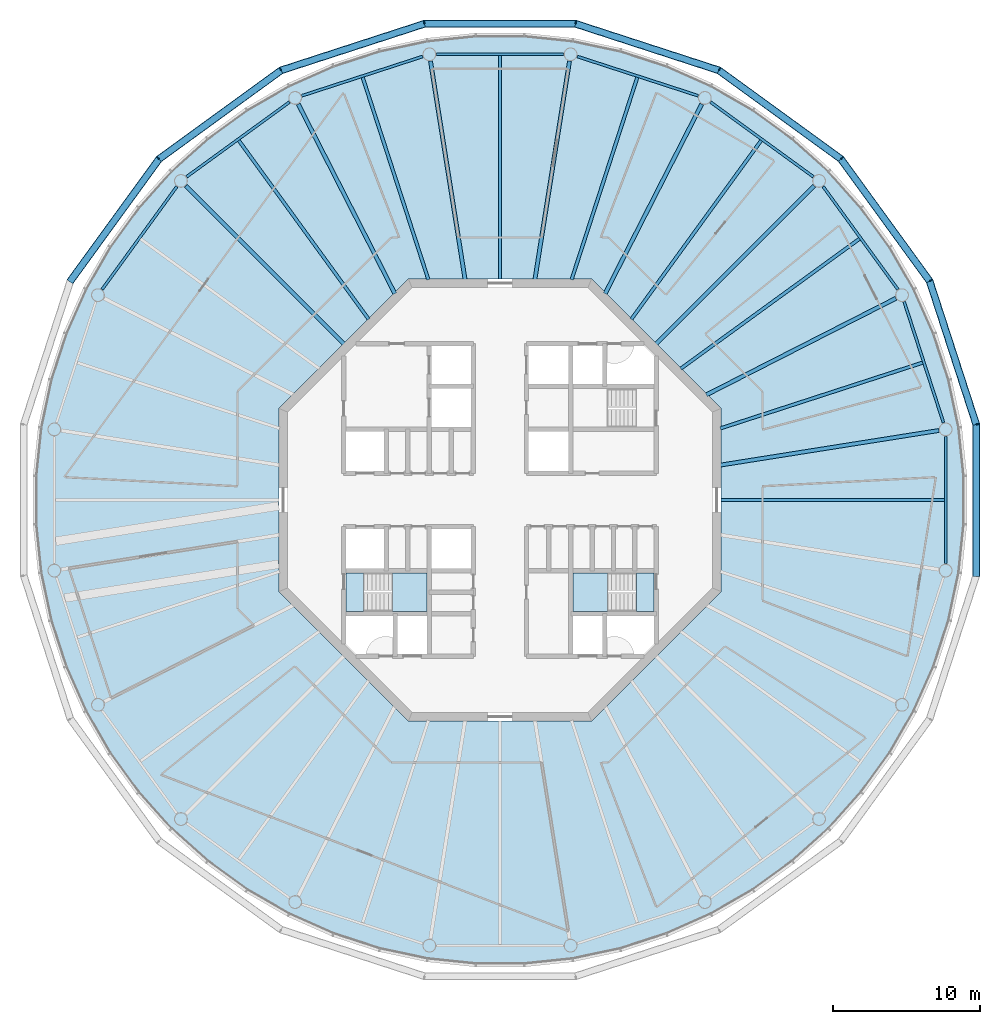
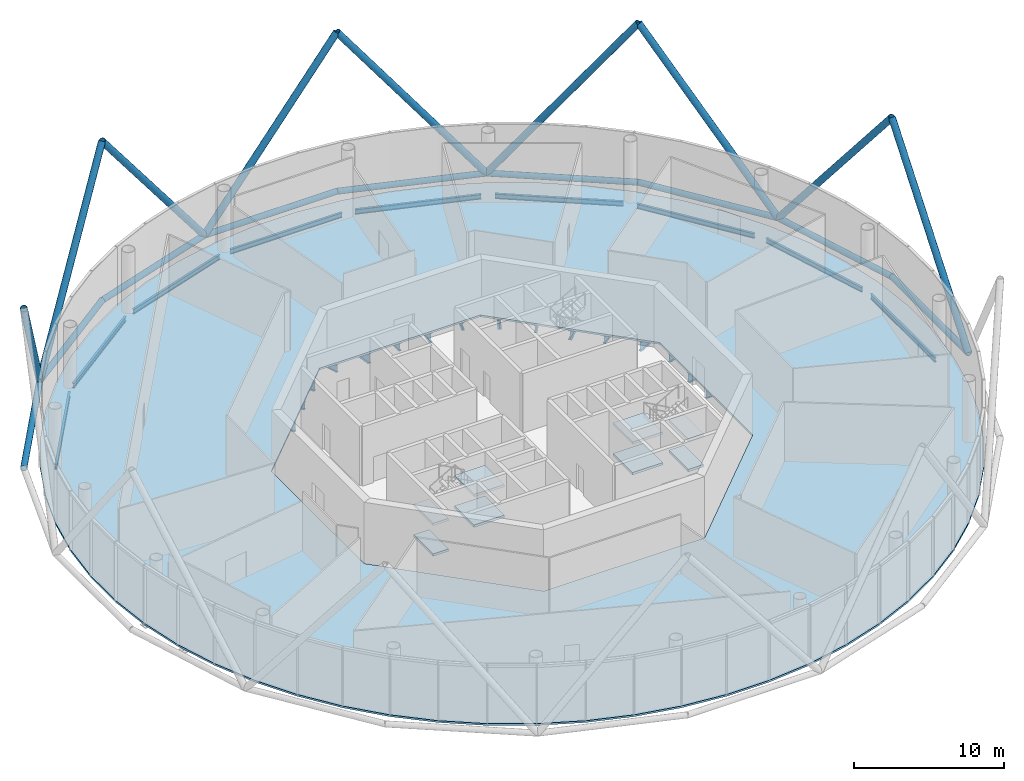
# One storey, part 2 of 13: 25 beams, 18 members, 9 slabs, 2 elements without a shape of their own.
"""IFC4 building model written with IfcOpenShell, lengths in metres."""

from ifc_helpers import new_model, si_unit, direction, frame, origin, origin_2d, place, context, subcontext, project, spatial, polyline, circle, hollow_circle, i_section, outline, extrude, material, layer, layer_set, material_profile, profile_set, type_object, element, aggregate, save


model = new_model("IFC4")

# Units and contexts
model_context = context("Model", 3, precision=1e-05, world=origin(), true_north=direction((0.0, 1.0)))
body_context = subcontext(model_context, "Body", "Model", "MODEL_VIEW")
ifc_project = project(units=[si_unit("LENGTHUNIT", "METRE"), si_unit("AREAUNIT", "SQUARE_METRE"), si_unit("VOLUMEUNIT", "CUBIC_METRE"), si_unit("PLANEANGLEUNIT", "RADIAN"), si_unit("MASSUNIT", "GRAM", prefix="KILO")], contexts=[model_context])

# Site, building, storey
site_placement = place(None, origin())
site = spatial("IfcSite", under=ifc_project, at=site_placement, CompositionType="ELEMENT")
building_placement = place(site_placement, origin())
building = spatial("IfcBuilding", under=site, at=building_placement, Name="Entoto Ring Tower", CompositionType="ELEMENT")
storey_placement = place(building_placement, frame((0.0, 0.0, 402.0)))
storey = spatial("IfcBuildingStorey", under=building, at=storey_placement, Name="L92", CompositionType="ELEMENT", Elevation=402.0)

# Members
ifc_material_1 = material(Name="Steel S355", Category="steel")
ifc_material_profile_1 = material_profile(ifc_material_1, hollow_circle(Radius=0.25390625, WallThickness=0.030029296875, at=origin_2d()), Name="CHS 508 x 30")
ifc_material_2 = material(Name="Concrete C60/75", Category="concrete")
ifc_material_profile_2 = material_profile(ifc_material_2, circle(Radius=0.22412109375, at=origin_2d()), Name="Concrete C60/75 infill")
ifc_profile_set_1 = profile_set([ifc_material_profile_1, ifc_material_profile_2], Name="Steel S355")
member_type_1 = type_object("IfcMemberType", Name="Diagrid diagonal 508 x 30 concrete-filled tube", PredefinedType="BRACE", material=ifc_profile_set_1)
for number, where, z_axis, x_axis, name in (
    (1, (119.135986328125, 94.845458984375, 0.0), (0.191101988777, -0.588167322629, 0.785836643633), (0.95105896794, 0.309009448885, 0.0), "DG7 module 30 01"),
    (2, (119.135986328125, 94.845458984375, 0.0), (-0.363517787948, 0.500323970729, 0.785831242799), (-0.809008424404, -0.587797047665, 0.0), "DG7 module 30 02"),
    (3, (104.845458984375, 109.135986328125, 0.0), (0.500323970729, -0.363517787948, 0.785831242799), (0.587797047665, 0.809008424404, 0.0), "DG7 module 30 03"),
    (4, (104.845458984375, 109.135986328125, 0.0), (-0.588167322629, 0.191101988777, 0.785836643633), (-0.309009448885, -0.95105896794, 0.0), "DG7 module 30 04"),
    (5, (84.884521484375, 112.29736328125, 0.0), (0.618444448493, 0.0, 0.785828520816), (0.0, 1.0, 0.0), "DG7 module 30 05"),
    (6, (84.884521484375, 112.29736328125, 0.0), (-0.588167322629, -0.191101988777, 0.785836643633), (0.309009448885, -0.95105896794, 0.0), "DG7 module 30 06"),
    (7, (66.877685546875, 103.122314453125, 0.0), (0.500323970729, 0.363517787948, 0.785831242799), (-0.587797047665, 0.809008424404, 0.0), "DG7 module 30 07"),
    (8, (66.877685546875, 103.122314453125, 0.0), (-0.363517787948, -0.500323970729, 0.785831242799), (0.809008424404, -0.587797047665, 0.0), "DG7 module 30 08"),
    (9, (122.29736328125, 74.884521484375, 0.0), (0.0, 0.618444448493, 0.785828520816), (-1.0, 0.0, 0.0), "DG7 module 30 20"),
):
    element("IfcMember", number, at=place(storey_placement, frame(where, z_axis=z_axis, x_axis=x_axis)), inside=storey, type_object=member_type_1, Name=name, PredefinedType="BRACE", context=body_context, shape_type="SweptSolid", body=[
        extrude(hollow_circle(Radius=0.25390625, WallThickness=0.030029296875, at=origin_2d()), origin(), (0.0, 0.0, 1.0), 16.54296875),
    ])
ifc_material_3 = material(Name="Steel S355", Category="steel")
ifc_material_profile_3 = material_profile(ifc_material_3, hollow_circle(Radius=0.228515625, WallThickness=0.02001953125, at=origin_2d()), Name="CHS 457 x 20")
ifc_material_4 = material(Name="Concrete C60/75", Category="concrete")
ifc_material_profile_4 = material_profile(ifc_material_4, circle(Radius=0.20849609375, at=origin_2d()), Name="Concrete C60/75 infill")
ifc_profile_set_2 = profile_set([ifc_material_profile_3, ifc_material_profile_4], Name="Steel S355")
member_type_2 = type_object("IfcMemberType", Name="Diagrid ring beam 457 x 20", PredefinedType="CHORD", material=ifc_profile_set_2)
for number, where, z_axis, x_axis, name in (
    (10, (119.1689453125, 94.800048828125, 0.0), (-0.587781465034, 0.809019745966, 0.0), (-0.809019745966, -0.587781465034, 0.0), "DR3 ring 29 01"),
    (11, (113.16796875, 103.08935546875, 0.0), (-0.809019745966, 0.587781465034, 0.0), (-0.587781465034, -0.809019745966, 0.0), "DR3 ring 29 02"),
):
    element("IfcMember", number, at=place(storey_placement, frame(where, z_axis=z_axis, x_axis=x_axis)), inside=storey, type_object=member_type_2, Name=name, PredefinedType="CHORD", context=body_context, shape_type="SweptSolid", body=[
        extrude(hollow_circle(Radius=0.228515625, WallThickness=0.02001953125, at=origin_2d()), origin(), (0.0, 0.0, 1.0), 10.34326171875),
    ])
member_1_placement = place(storey_placement, frame((104.89892578125, 109.11865234375, 0.0), z_axis=(-0.951061125206, 0.309002809244, 0.0), x_axis=(-0.309002809244, -0.951061125206, 0.0)))
element("IfcMember", 12, at=member_1_placement, inside=storey, type_object=member_type_2, Name="DR3 ring 29 03", PredefinedType="CHORD", context=body_context, shape_type="SweptSolid", body=[
    extrude(hollow_circle(Radius=0.228515625, WallThickness=0.02001953125, at=origin_2d()), origin(), (0.0, 0.0, 1.0), 10.343017578125),
])
member_2_placement = place(storey_placement, frame((95.171630859375, 112.29736328125, 0.0), z_axis=(-1.0, 0.0, 0.0), x_axis=(0.0, -1.0, 0.0)))
element("IfcMember", 13, at=member_2_placement, inside=storey, type_object=member_type_2, Name="DR3 ring 29 04", PredefinedType="CHORD", context=body_context, shape_type="SweptSolid", body=[
    extrude(hollow_circle(Radius=0.228515625, WallThickness=0.02001953125, at=origin_2d()), origin(), (0.0, 0.0, 1.0), 10.34326171875),
])
member_3_placement = place(storey_placement, frame((84.93798828125, 112.314697265625, 0.0), z_axis=(-0.951061125206, -0.309002809244, 0.0), x_axis=(0.309002809244, -0.951061125206, 0.0)))
element("IfcMember", 14, at=member_3_placement, inside=storey, type_object=member_type_2, Name="DR3 ring 29 05", PredefinedType="CHORD", context=body_context, shape_type="SweptSolid", body=[
    extrude(hollow_circle(Radius=0.228515625, WallThickness=0.02001953125, at=origin_2d()), origin(), (0.0, 0.0, 1.0), 10.343017578125),
])
for number, where, z_axis, x_axis, name in (
    (15, (75.199951171875, 109.1689453125, 0.0), (-0.809019745966, -0.587781465034, 0.0), (0.587781465034, -0.809019745966, 0.0), "DR3 ring 29 06"),
    (16, (66.91064453125, 103.16796875, 0.0), (-0.587781465034, -0.809019745966, 0.0), (0.809019745966, -0.587781465034, 0.0), "DR3 ring 29 07"),
    (17, (122.29736328125, 74.828369140625, 0.0), (0.0, 1.0, 0.0), (-1.0, 0.0, 0.0), "DR3 ring 29 19"),
):
    element("IfcMember", number, at=place(storey_placement, frame(where, z_axis=z_axis, x_axis=x_axis)), inside=storey, type_object=member_type_2, Name=name, PredefinedType="CHORD", context=body_context, shape_type="SweptSolid", body=[
        extrude(hollow_circle(Radius=0.228515625, WallThickness=0.02001953125, at=origin_2d()), origin(), (0.0, 0.0, 1.0), 10.34326171875),
    ])
member_4_placement = place(storey_placement, frame((122.314697265625, 85.06201171875, 0.0), z_axis=(-0.309002809244, 0.951061125206, 0.0), x_axis=(-0.951061125206, -0.309002809244, 0.0)))
element("IfcMember", 18, at=member_4_placement, inside=storey, type_object=member_type_2, Name="DR3 ring 29 20", PredefinedType="CHORD", context=body_context, shape_type="SweptSolid", body=[
    extrude(hollow_circle(Radius=0.228515625, WallThickness=0.02001953125, at=origin_2d()), origin(), (0.0, 0.0, 1.0), 10.343017578125),
])

# Beams
ifc_material_5 = material(Name="Steel S355", Category="steel")
ifc_material_profile_5 = material_profile(ifc_material_5, i_section(OverallWidth=0.179931640625, OverallDepth=0.39990234375, WebThickness=0.008544921875, FlangeThickness=0.013427734375, FilletRadius=0.02099609375, at=origin_2d()), Name="IPE 400")
ifc_profile_set_3 = profile_set([ifc_material_profile_5], Name="Steel S355")
beam_type_1 = type_object("IfcBeamType", Name="Edge beam IPE 400", PredefinedType="SPANDREL", material=ifc_profile_set_3)
beam_1_placement = place(storey_placement, frame((120.077392578125, 85.235595703125, -0.35009765625), z_axis=(-0.309004833211, 0.951060467611, 0.0), x_axis=(-0.951060467611, -0.309004833211, 0.0)))
element("IfcBeam", 19, at=beam_1_placement, inside=storey, type_object=beam_type_1, Name="Edge beam L92 01", PredefinedType="SPANDREL", context=body_context, shape_type="SweptSolid", body=[
    extrude(i_section(OverallWidth=0.179931640625, OverallDepth=0.39990234375, WebThickness=0.008544921875, FlangeThickness=0.013427734375, FilletRadius=0.02099609375, at=origin_2d()), origin(), (0.0, 0.0, 1.0), 8.630126953125),
])
for number, where, z_axis, x_axis, name in (
    (20, (116.987548828125, 94.273681640625, -0.35009765625), (-0.587778035872, 0.809022237362, 0.0), (-0.809022237362, -0.587778035872, 0.0), "Edge beam L92 02"),
    (21, (111.255859375, 101.914794921875, -0.35009765625), (-0.809022237362, 0.587778035872, 0.0), (-0.587778035872, -0.809022237362, 0.0), "Edge beam L92 03"),
):
    element("IfcBeam", number, at=place(storey_placement, frame(where, z_axis=z_axis, x_axis=x_axis)), inside=storey, type_object=beam_type_1, Name=name, PredefinedType="SPANDREL", context=body_context, shape_type="SweptSolid", body=[
        extrude(i_section(OverallWidth=0.179931640625, OverallDepth=0.39990234375, WebThickness=0.008544921875, FlangeThickness=0.013427734375, FilletRadius=0.02099609375, at=origin_2d()), origin(), (0.0, 0.0, 1.0), 8.63037109375),
    ])
beam_2_placement = place(storey_placement, frame((103.443359375, 107.41064453125, -0.35009765625), z_axis=(-0.951060467611, 0.309004833211, 0.0), x_axis=(-0.309004833211, -0.951060467611, 0.0)))
element("IfcBeam", 22, at=beam_2_placement, inside=storey, type_object=beam_type_1, Name="Edge beam L92 04", PredefinedType="SPANDREL", context=body_context, shape_type="SweptSolid", body=[
    extrude(i_section(OverallWidth=0.179931640625, OverallDepth=0.39990234375, WebThickness=0.008544921875, FlangeThickness=0.013427734375, FilletRadius=0.02099609375, at=origin_2d()), origin(), (0.0, 0.0, 1.0), 8.630126953125),
])
beam_3_placement = place(storey_placement, frame((94.315185546875, 110.22314453125, -0.35009765625), z_axis=(-1.0, 0.0, 0.0), x_axis=(0.0, -1.0, 0.0)))
element("IfcBeam", 23, at=beam_3_placement, inside=storey, type_object=beam_type_1, Name="Edge beam L92 05", PredefinedType="SPANDREL", context=body_context, shape_type="SweptSolid", body=[
    extrude(i_section(OverallWidth=0.179931640625, OverallDepth=0.39990234375, WebThickness=0.008544921875, FlangeThickness=0.013427734375, FilletRadius=0.02099609375, at=origin_2d()), origin(), (0.0, 0.0, 1.0), 8.63037109375),
])
beam_4_placement = place(storey_placement, frame((84.764404296875, 110.077392578125, -0.35009765625), z_axis=(-0.951060467611, -0.309004833211, 0.0), x_axis=(0.309004833211, -0.951060467611, 0.0)))
element("IfcBeam", 24, at=beam_4_placement, inside=storey, type_object=beam_type_1, Name="Edge beam L92 06", PredefinedType="SPANDREL", context=body_context, shape_type="SweptSolid", body=[
    extrude(i_section(OverallWidth=0.179931640625, OverallDepth=0.39990234375, WebThickness=0.008544921875, FlangeThickness=0.013427734375, FilletRadius=0.02099609375, at=origin_2d()), origin(), (0.0, 0.0, 1.0), 8.630126953125),
])
for number, where, z_axis, x_axis, name in (
    (25, (75.726318359375, 106.987548828125, -0.35009765625), (-0.809022237362, -0.587778035872, 0.0), (0.587778035872, -0.809022237362, 0.0), "Edge beam L92 07"),
    (26, (68.085205078125, 101.255859375, -0.35009765625), (-0.587778035872, -0.809022237362, 0.0), (0.809022237362, -0.587778035872, 0.0), "Edge beam L92 08"),
    (27, (120.22314453125, 75.684814453125, -0.35009765625), (0.0, 1.0, 0.0), (-1.0, 0.0, 0.0), "Edge beam L92 20"),
):
    element("IfcBeam", number, at=place(storey_placement, frame(where, z_axis=z_axis, x_axis=x_axis)), inside=storey, type_object=beam_type_1, Name=name, PredefinedType="SPANDREL", context=body_context, shape_type="SweptSolid", body=[
        extrude(i_section(OverallWidth=0.179931640625, OverallDepth=0.39990234375, WebThickness=0.008544921875, FlangeThickness=0.013427734375, FilletRadius=0.02099609375, at=origin_2d()), origin(), (0.0, 0.0, 1.0), 8.63037109375),
    ])
ifc_material_6 = material(Name="Steel S355", Category="steel")
ifc_material_profile_6 = material_profile(ifc_material_6, i_section(OverallWidth=0.262939453125, OverallDepth=0.7529296875, WebThickness=0.011474609375, FlangeThickness=0.01708984375, FilletRadius=0.01708984375, at=origin_2d()), Name="IPE 750 x 137")
ifc_profile_set_4 = profile_set([ifc_material_profile_6], Name="Steel S355")
beam_type_2 = type_object("IfcBeamType", Name="Primary floor beam IPE 750 x 137", PredefinedType="BEAM", material=ifc_profile_set_4)
beam_5_placement = place(storey_placement, frame((104.959716796875, 82.369384765625, -0.526611328125), z_axis=(0.987687983091, 0.156436722214, 0.0), x_axis=(-0.156436722214, 0.987687983091, 0.0)))
element("IfcBeam", 28, at=beam_5_placement, inside=storey, type_object=beam_type_2, Name="Primary L92 R01", PredefinedType="BEAM", context=body_context, shape_type="SweptSolid", body=[
    extrude(i_section(OverallWidth=0.262939453125, OverallDepth=0.7529296875, WebThickness=0.011474609375, FlangeThickness=0.01708984375, FilletRadius=0.01708984375, at=origin_2d()), origin(), (0.0, 0.0, 1.0), 14.991455078125),
])
beam_6_placement = place(storey_placement, frame((103.9970703125, 87.1318359375, -0.526611328125), z_axis=(0.891007082672, 0.453989403652, 0.0), x_axis=(-0.453989403652, 0.891007082672, 0.0)))
element("IfcBeam", 29, at=beam_6_placement, inside=storey, type_object=beam_type_2, Name="Primary L92 R02", PredefinedType="BEAM", context=body_context, shape_type="SweptSolid", body=[
    extrude(i_section(OverallWidth=0.262939453125, OverallDepth=0.7529296875, WebThickness=0.011474609375, FlangeThickness=0.01708984375, FilletRadius=0.01708984375, at=origin_2d()), origin(), (0.0, 0.0, 1.0), 14.42822265625),
])
beam_7_placement = place(storey_placement, frame((100.592529296875, 90.592529296875, -0.526611328125), z_axis=(0.707106781187, 0.707106781187, 0.0), x_axis=(-0.707106781187, 0.707106781187, 0.0)))
element("IfcBeam", 30, at=beam_7_placement, inside=storey, type_object=beam_type_2, Name="Primary L92 R03", PredefinedType="BEAM", context=body_context, shape_type="SweptSolid", body=[
    extrude(i_section(OverallWidth=0.262939453125, OverallDepth=0.7529296875, WebThickness=0.011474609375, FlangeThickness=0.01708984375, FilletRadius=0.01708984375, at=origin_2d()), origin(), (0.0, 0.0, 1.0), 15.157470703125),
])
beam_8_placement = place(storey_placement, frame((97.1318359375, 93.9970703125, -0.526611328125), z_axis=(0.453989403652, 0.891007082672, 0.0), x_axis=(-0.891007082672, 0.453989403652, 0.0)))
element("IfcBeam", 31, at=beam_8_placement, inside=storey, type_object=beam_type_2, Name="Primary L92 R04", PredefinedType="BEAM", context=body_context, shape_type="SweptSolid", body=[
    extrude(i_section(OverallWidth=0.262939453125, OverallDepth=0.7529296875, WebThickness=0.011474609375, FlangeThickness=0.01708984375, FilletRadius=0.01708984375, at=origin_2d()), origin(), (0.0, 0.0, 1.0), 14.42822265625),
])
for number, where, z_axis, x_axis, name in (
    (32, (92.369384765625, 94.959716796875, -0.526611328125), (0.156436722214, 0.987687983091, 0.0), (-0.987687983091, 0.156436722214, 0.0), "Primary L92 R05"),
    (33, (87.630615234375, 94.959716796875, -0.526611328125), (-0.156436722214, 0.987687983091, 0.0), (-0.987687983091, -0.156436722214, 0.0), "Primary L92 R06"),
):
    element("IfcBeam", number, at=place(storey_placement, frame(where, z_axis=z_axis, x_axis=x_axis)), inside=storey, type_object=beam_type_2, Name=name, PredefinedType="BEAM", context=body_context, shape_type="SweptSolid", body=[
        extrude(i_section(OverallWidth=0.262939453125, OverallDepth=0.7529296875, WebThickness=0.011474609375, FlangeThickness=0.01708984375, FilletRadius=0.01708984375, at=origin_2d()), origin(), (0.0, 0.0, 1.0), 14.991455078125),
    ])
beam_9_placement = place(storey_placement, frame((82.8681640625, 93.9970703125, -0.526611328125), z_axis=(-0.453989403652, 0.891007082672, 0.0), x_axis=(-0.891007082672, -0.453989403652, 0.0)))
element("IfcBeam", 34, at=beam_9_placement, inside=storey, type_object=beam_type_2, Name="Primary L92 R07", PredefinedType="BEAM", context=body_context, shape_type="SweptSolid", body=[
    extrude(i_section(OverallWidth=0.262939453125, OverallDepth=0.7529296875, WebThickness=0.011474609375, FlangeThickness=0.01708984375, FilletRadius=0.01708984375, at=origin_2d()), origin(), (0.0, 0.0, 1.0), 14.42822265625),
])
beam_10_placement = place(storey_placement, frame((79.407470703125, 90.592529296875, -0.526611328125), z_axis=(-0.707106781187, 0.707106781187, 0.0), x_axis=(-0.707106781187, -0.707106781187, 0.0)))
element("IfcBeam", 35, at=beam_10_placement, inside=storey, type_object=beam_type_2, Name="Primary L92 R08", PredefinedType="BEAM", context=body_context, shape_type="SweptSolid", body=[
    extrude(i_section(OverallWidth=0.262939453125, OverallDepth=0.7529296875, WebThickness=0.011474609375, FlangeThickness=0.01708984375, FilletRadius=0.01708984375, at=origin_2d()), origin(), (0.0, 0.0, 1.0), 15.157470703125),
])
ifc_material_7 = material(Name="Steel S355", Category="steel")
ifc_material_profile_7 = material_profile(ifc_material_7, i_section(OverallWidth=0.219970703125, OverallDepth=0.60009765625, WebThickness=0.011962890625, FlangeThickness=0.01904296875, FilletRadius=0.02392578125, at=origin_2d()), Name="IPE 600")
ifc_profile_set_5 = profile_set([ifc_material_profile_7], Name="Steel S355")
beam_type_3 = type_object("IfcBeamType", Name="Secondary floor beam IPE 600", PredefinedType="JOIST", material=ifc_profile_set_5)
beam_11_placement = place(storey_placement, frame((104.947021484375, 84.856689453125, -0.449951171875), z_axis=(0.951057212949, 0.309014850288, 0.0), x_axis=(-0.309014850288, 0.951057212949, 0.0)))
element("IfcBeam", 36, at=beam_11_placement, inside=storey, type_object=beam_type_3, Name="Secondary beam L92 01", PredefinedType="JOIST", context=body_context, shape_type="SweptSolid", body=[
    extrude(i_section(OverallWidth=0.219970703125, OverallDepth=0.60009765625, WebThickness=0.011962890625, FlangeThickness=0.01904296875, FilletRadius=0.02392578125, at=origin_2d()), origin(), (0.0, 0.0, 1.0), 14.4169921875),
])
for number, where, z_axis, x_axis, name in (
    (37, (102.25634765625, 88.90478515625, -0.449951171875), (0.809019238239, 0.587782163866, 0.0), (-0.587782163866, 0.809019238239, 0.0), "Secondary beam L92 02"),
    (38, (98.90478515625, 92.25634765625, -0.449951171875), (0.587782163866, 0.809019238239, 0.0), (-0.809019238239, 0.587782163866, 0.0), "Secondary beam L92 03"),
):
    element("IfcBeam", number, at=place(storey_placement, frame(where, z_axis=z_axis, x_axis=x_axis)), inside=storey, type_object=beam_type_3, Name=name, PredefinedType="JOIST", context=body_context, shape_type="SweptSolid", body=[
        extrude(i_section(OverallWidth=0.219970703125, OverallDepth=0.60009765625, WebThickness=0.011962890625, FlangeThickness=0.01904296875, FilletRadius=0.02392578125, at=origin_2d()), origin(), (0.0, 0.0, 1.0), 14.983642578125),
    ])
beam_12_placement = place(storey_placement, frame((94.856689453125, 94.947021484375, -0.449951171875), z_axis=(0.309014850288, 0.951057212949, 0.0), x_axis=(-0.951057212949, 0.309014850288, 0.0)))
element("IfcBeam", 39, at=beam_12_placement, inside=storey, type_object=beam_type_3, Name="Secondary beam L92 04", PredefinedType="JOIST", context=body_context, shape_type="SweptSolid", body=[
    extrude(i_section(OverallWidth=0.219970703125, OverallDepth=0.60009765625, WebThickness=0.011962890625, FlangeThickness=0.01904296875, FilletRadius=0.02392578125, at=origin_2d()), origin(), (0.0, 0.0, 1.0), 14.4169921875),
])
beam_13_placement = place(storey_placement, frame((90.0, 94.97998046875, -0.449951171875), z_axis=(0.0, 1.0, 0.0), x_axis=(-1.0, 0.0, 0.0)))
element("IfcBeam", 40, at=beam_13_placement, inside=storey, type_object=beam_type_3, Name="Secondary beam L92 05", PredefinedType="JOIST", context=body_context, shape_type="SweptSolid", body=[
    extrude(i_section(OverallWidth=0.219970703125, OverallDepth=0.60009765625, WebThickness=0.011962890625, FlangeThickness=0.01904296875, FilletRadius=0.02392578125, at=origin_2d()), origin(), (0.0, 0.0, 1.0), 15.1533203125),
])
beam_14_placement = place(storey_placement, frame((85.143310546875, 94.947021484375, -0.449951171875), z_axis=(-0.309014850288, 0.951057212949, 0.0), x_axis=(-0.951057212949, -0.309014850288, 0.0)))
element("IfcBeam", 41, at=beam_14_placement, inside=storey, type_object=beam_type_3, Name="Secondary beam L92 06", PredefinedType="JOIST", context=body_context, shape_type="SweptSolid", body=[
    extrude(i_section(OverallWidth=0.219970703125, OverallDepth=0.60009765625, WebThickness=0.011962890625, FlangeThickness=0.01904296875, FilletRadius=0.02392578125, at=origin_2d()), origin(), (0.0, 0.0, 1.0), 14.4169921875),
])
beam_15_placement = place(storey_placement, frame((81.09521484375, 92.25634765625, -0.449951171875), z_axis=(-0.587782163866, 0.809019238239, 0.0), x_axis=(-0.809019238239, -0.587782163866, 0.0)))
element("IfcBeam", 42, at=beam_15_placement, inside=storey, type_object=beam_type_3, Name="Secondary beam L92 07", PredefinedType="JOIST", context=body_context, shape_type="SweptSolid", body=[
    extrude(i_section(OverallWidth=0.219970703125, OverallDepth=0.60009765625, WebThickness=0.011962890625, FlangeThickness=0.01904296875, FilletRadius=0.02392578125, at=origin_2d()), origin(), (0.0, 0.0, 1.0), 14.983642578125),
])
beam_16_placement = place(storey_placement, frame((104.97998046875, 80.0, -0.449951171875), z_axis=(1.0, 0.0, 0.0), x_axis=(0.0, 1.0, 0.0)))
element("IfcBeam", 43, at=beam_16_placement, inside=storey, type_object=beam_type_3, Name="Secondary beam L92 20", PredefinedType="JOIST", context=body_context, shape_type="SweptSolid", body=[
    extrude(i_section(OverallWidth=0.219970703125, OverallDepth=0.60009765625, WebThickness=0.011962890625, FlangeThickness=0.01904296875, FilletRadius=0.02392578125, at=origin_2d()), origin(), (0.0, 0.0, 1.0), 15.1533203125),
])

# Slab
ifc_material_8 = material(Name="Concrete C30/37", Category="concrete")
ifc_layer_1 = layer(ifc_material_8, 0.14990234375)
ifc_layer_set_1 = layer_set([ifc_layer_1], Name="Concrete C30/37")
slab_type_1 = type_object("IfcSlabType", Name="Composite floor slab 150 mm", PredefinedType="FLOOR", material=ifc_layer_set_1)
slab_1_placement = place(storey_placement, frame((0.0, 0.0, -0.14990234375)))
element("IfcSlab", 44, at=slab_1_placement, inside=storey, type_object=slab_type_1, Name="Floor slab L92", PredefinedType="FLOOR", context=body_context, shape_type="SweptSolid", body=[
    extrude(outline(polyline([(121.2109375, 84.943359375), (120.523193359375, 88.1787109375), (119.501220703125, 91.324462890625), (118.15576171875, 94.34619140625), (116.501953125, 97.210693359375), (114.557861328125, 99.886474609375), (112.344482421875, 102.344482421875), (109.886474609375, 104.557861328125), (107.210693359375, 106.501953125), (104.34619140625, 108.15576171875), (101.324462890625, 109.501220703125), (98.1787109375, 110.523193359375), (94.943359375, 111.2109375), (91.65380859375, 111.556640625), (88.34619140625, 111.556640625), (85.056640625, 111.2109375), (81.8212890625, 110.523193359375), (78.675537109375, 109.501220703125), (75.65380859375, 108.15576171875), (72.789306640625, 106.501953125), (70.113525390625, 104.557861328125), (67.655517578125, 102.344482421875), (65.442138671875, 99.886474609375), (63.498046875, 97.210693359375), (61.84423828125, 94.34619140625), (60.498779296875, 91.324462890625), (59.476806640625, 88.1787109375), (58.7890625, 84.943359375), (58.443359375, 81.65380859375), (58.443359375, 78.34619140625), (58.7890625, 75.056640625), (59.476806640625, 71.8212890625), (60.498779296875, 68.675537109375), (61.84423828125, 65.65380859375), (63.498046875, 62.789306640625), (65.442138671875, 60.113525390625), (67.655517578125, 57.655517578125), (70.113525390625, 55.442138671875), (72.789306640625, 53.498046875), (75.65380859375, 51.84423828125), (78.675537109375, 50.498779296875), (81.8212890625, 49.476806640625), (85.056640625, 48.7890625), (88.34619140625, 48.443359375), (91.65380859375, 48.443359375), (94.943359375, 48.7890625), (98.1787109375, 49.476806640625), (101.324462890625, 50.498779296875), (104.34619140625, 51.84423828125), (107.210693359375, 53.498046875), (109.886474609375, 55.442138671875), (112.344482421875, 57.655517578125), (114.557861328125, 60.113525390625), (116.501953125, 62.789306640625), (118.15576171875, 65.65380859375), (119.501220703125, 68.675537109375), (120.523193359375, 71.8212890625), (121.2109375, 75.056640625), (121.556640625, 78.34619140625), (121.556640625, 81.65380859375), (121.2109375, 84.943359375)]), holes=[polyline([(105.0, 73.786865234375), (105.0, 86.213134765625), (96.213134765625, 95.0), (83.786865234375, 95.0), (75.0, 86.213134765625), (75.0, 73.786865234375), (83.786865234375, 65.0), (96.213134765625, 65.0), (105.0, 73.786865234375)])]), origin(), (0.0, 0.0, 1.0), 0.14990234375),
])

# Stair, slabs
ifc_material_9 = material(Name="Concrete C40/50", Category="concrete")
stair_type = type_object("IfcStairType", Name="Exit stair 1200 mm dog-leg reinforced concrete", PredefinedType="HALF_TURN_STAIR", material=ifc_material_9)
stair_1_placement = place(storey_placement, origin())
stair_1 = element("IfcStair", 45, at=stair_1_placement, inside=storey, type_object=stair_type, Name="Exit stair 2", PredefinedType="HALF_TURN_STAIR")
ifc_material_10 = material(Name="Concrete C40/50", Category="concrete")
ifc_layer_2 = layer(ifc_material_10, 0.199951171875)
ifc_layer_set_2 = layer_set([ifc_layer_2], Name="Concrete C40/50")
slab_type_2 = type_object("IfcSlabType", Name="Stair landing 200 mm reinforced concrete", PredefinedType="LANDING", material=ifc_layer_set_2)
slab_2_placement = place(storey_placement, frame((0.0, 0.0, -0.199951171875)))
slab_2 = element("IfcSlab", 46, at=slab_2_placement, type_object=slab_type_2, Name="ST2 landing 1", PredefinedType="LANDING", context=body_context, shape_type="SweptSolid", body=[
    extrude(outline(polyline([(80.75, 72.449951171875), (80.75, 75.050048828125), (79.550048828125, 75.050048828125), (79.550048828125, 72.449951171875), (80.75, 72.449951171875)])), origin(), (0.0, 0.0, 1.0), 0.199951171875),
])
slab_3_placement = place(storey_placement, frame((0.0, 0.0, 1.050048828125)))
slab_3 = element("IfcSlab", 47, at=slab_3_placement, type_object=slab_type_2, Name="ST2 landing 2", PredefinedType="LANDING", context=body_context, shape_type="SweptSolid", body=[
    extrude(outline(polyline([(82.7099609375, 72.449951171875), (85.050048828125, 72.449951171875), (85.050048828125, 75.050048828125), (82.7099609375, 75.050048828125), (82.7099609375, 72.449951171875)])), origin(), (0.0, 0.0, 1.0), 0.199951171875),
])
slab_4_placement = place(storey_placement, frame((0.0, 0.0, 2.300048828125)))
slab_4 = element("IfcSlab", 48, at=slab_4_placement, type_object=slab_type_2, Name="ST2 landing 3", PredefinedType="LANDING", context=body_context, shape_type="SweptSolid", body=[
    extrude(outline(polyline([(79.550048828125, 72.449951171875), (80.75, 72.449951171875), (80.75, 75.050048828125), (79.550048828125, 75.050048828125), (79.550048828125, 72.449951171875)])), origin(), (0.0, 0.0, 1.0), 0.199951171875),
])
slab_5_placement = place(storey_placement, frame((0.0, 0.0, 3.550048828125)))
slab_5 = element("IfcSlab", 49, at=slab_5_placement, type_object=slab_type_2, Name="ST2 landing 4", PredefinedType="LANDING", context=body_context, shape_type="SweptSolid", body=[
    extrude(outline(polyline([(82.7099609375, 72.449951171875), (85.050048828125, 72.449951171875), (85.050048828125, 75.050048828125), (82.7099609375, 75.050048828125), (82.7099609375, 72.449951171875)])), origin(), (0.0, 0.0, 1.0), 0.199951171875),
])
aggregate(stair_1, [slab_2, slab_3, slab_4, slab_5])

stair_2_placement = place(storey_placement, origin())
stair_2 = element("IfcStair", 50, at=stair_2_placement, inside=storey, type_object=stair_type, Name="Exit stair 3", PredefinedType="HALF_TURN_STAIR")
slab_6_placement = place(storey_placement, frame((0.0, 0.0, -0.199951171875)))
slab_6 = element("IfcSlab", 51, at=slab_6_placement, type_object=slab_type_2, Name="ST3 landing 1", PredefinedType="LANDING", context=body_context, shape_type="SweptSolid", body=[
    extrude(outline(polyline([(100.449951171875, 72.449951171875), (100.449951171875, 75.050048828125), (99.25, 75.050048828125), (99.25, 72.449951171875), (100.449951171875, 72.449951171875)])), origin(), (0.0, 0.0, 1.0), 0.199951171875),
])
slab_7_placement = place(storey_placement, frame((0.0, 0.0, 1.050048828125)))
slab_7 = element("IfcSlab", 52, at=slab_7_placement, type_object=slab_type_2, Name="ST3 landing 2", PredefinedType="LANDING", context=body_context, shape_type="SweptSolid", body=[
    extrude(outline(polyline([(94.949951171875, 72.449951171875), (97.2900390625, 72.449951171875), (97.2900390625, 75.050048828125), (94.949951171875, 75.050048828125), (94.949951171875, 72.449951171875)])), origin(), (0.0, 0.0, 1.0), 0.199951171875),
])
slab_8_placement = place(storey_placement, frame((0.0, 0.0, 2.300048828125)))
slab_8 = element("IfcSlab", 53, at=slab_8_placement, type_object=slab_type_2, Name="ST3 landing 3", PredefinedType="LANDING", context=body_context, shape_type="SweptSolid", body=[
    extrude(outline(polyline([(99.25, 72.449951171875), (100.449951171875, 72.449951171875), (100.449951171875, 75.050048828125), (99.25, 75.050048828125), (99.25, 72.449951171875)])), origin(), (0.0, 0.0, 1.0), 0.199951171875),
])
slab_9_placement = place(storey_placement, frame((0.0, 0.0, 3.550048828125)))
slab_9 = element("IfcSlab", 54, at=slab_9_placement, type_object=slab_type_2, Name="ST3 landing 4", PredefinedType="LANDING", context=body_context, shape_type="SweptSolid", body=[
    extrude(outline(polyline([(94.949951171875, 72.449951171875), (97.2900390625, 72.449951171875), (97.2900390625, 75.050048828125), (94.949951171875, 75.050048828125), (94.949951171875, 72.449951171875)])), origin(), (0.0, 0.0, 1.0), 0.199951171875),
])
aggregate(stair_2, [slab_6, slab_7, slab_8, slab_9])

save(model, "model.ifc")
